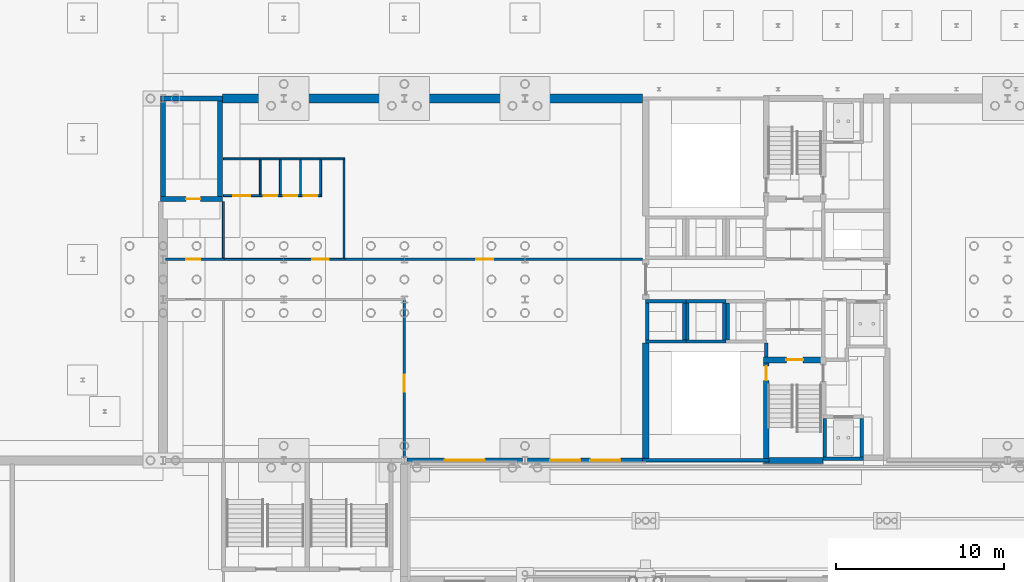
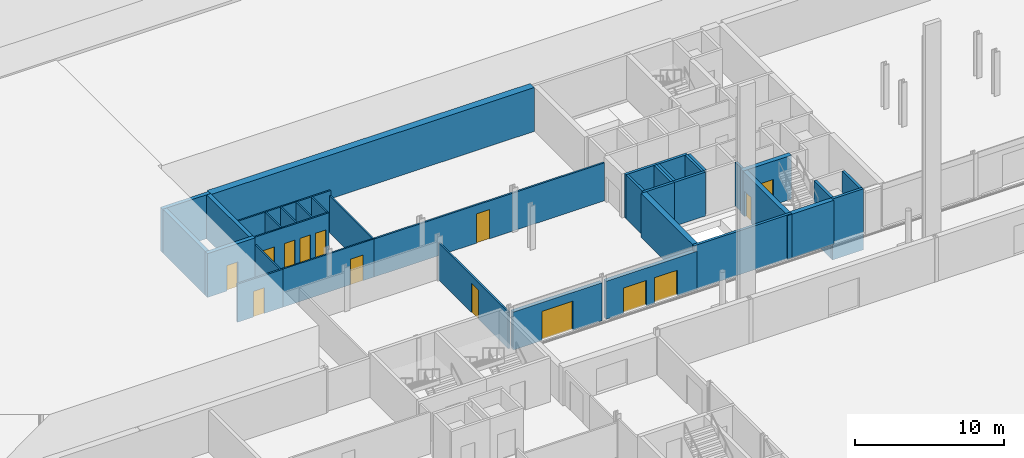
# One storey, part 88 of 148: 37 walls, 14 doors, 14 openings.
"""IFC4 building model written with IfcOpenShell, lengths in metres."""

from ifc_helpers import new_model, si_unit, direction, frame, frame_2d, origin, place, context, subcontext, project, spatial, rectangle, extrude, material, layer, layer_set, type_object, element, fill, save


model = new_model("IFC4")

# Units and contexts
model_context = context("Model", 3, precision=1e-05, world=origin(), true_north=direction((0.0, 1.0)))
body_context = subcontext(model_context, "Body", "Model", "MODEL_VIEW")
ifc_project = project(units=[si_unit("LENGTHUNIT", "METRE"), si_unit("AREAUNIT", "SQUARE_METRE"), si_unit("VOLUMEUNIT", "CUBIC_METRE"), si_unit("PLANEANGLEUNIT", "RADIAN"), si_unit("MASSUNIT", "GRAM", prefix="KILO")], contexts=[model_context])

# Site, building, storey
site_placement = place(None, origin())
site = spatial("IfcSite", under=ifc_project, at=site_placement, CompositionType="ELEMENT")
building_placement = place(site_placement, origin())
building = spatial("IfcBuilding", under=site, at=building_placement, Name="Kupolbacken Congress Centre", CompositionType="ELEMENT")
storey_placement = place(building_placement, origin())
storey = spatial("IfcBuildingStorey", under=building, at=storey_placement, Name="L00", CompositionType="ELEMENT", Elevation=0.0)

# Wall, opening, door
ifc_material_1 = material(Name="Limestone", Category="masonry")
ifc_layer_1 = layer(ifc_material_1, 0.06005859375)
ifc_material_2 = material(Name="Air cavity", Category="air")
ifc_layer_2 = layer(ifc_material_2, 0.0400390625, ventilated=True)
ifc_material_3 = material(Name="Mineral wool", Category="insulation")
ifc_layer_3 = layer(ifc_material_3, 0.14990234375)
ifc_material_4 = material(Name="Steel studs", Category="metal")
ifc_layer_4 = layer(ifc_material_4, 0.050048828125)
ifc_layer_set_1 = layer_set([ifc_layer_1, ifc_layer_2, ifc_layer_3, ifc_layer_4], Name="Limestone / Mineral wool / Steel studs")
wall_type_1 = type_object("IfcWallType", Name="EW01 external cavity wall 300", PredefinedType="SOLIDWALL", material=ifc_layer_set_1)
wall_1_placement = place(storey_placement, frame((79.353515625, 122.39990234375, 0.0), z_axis=(0.0, 0.0, 1.0), x_axis=(1.0, 0.0, 0.0)))
wall_1 = element("IfcWall", 1, at=wall_1_placement, inside=storey, type_object=wall_type_1, Name="E/T/S/L00/000", PredefinedType="SOLIDWALL", context=body_context, shape_type="SweptSolid", body=[
    extrude(rectangle(XDim=6.89306640625, YDim=0.300048828125, at=frame_2d((3.446533203125, 0.0))), origin(), (0.0, 0.0, 1.0), 3.1201171875),
])
opening_1_placement = place(wall_1_placement, frame((2.24658203125, 0.0, 0.0)))
opening_1 = element("IfcOpeningElement", 2, at=opening_1_placement, cuts=wall_1, Name="Opening D18", PredefinedType="OPENING", context=body_context, shape_type="SweptSolid", body=[
    extrude(rectangle(XDim=2.39990234375, YDim=2.39990234375, at=frame_2d((1.199951171875, 1.199951171875))), frame((0.0, 0.159912109375, 0.0), z_axis=(0.0, -1.0, 0.0), x_axis=(1.0, 0.0, 0.0)), (0.0, 0.0, 1.0), 0.320068359375),
])
ifc_material_5 = material(Name="Timber door leaf", Category="wood")
door_type_1 = type_object("IfcDoorType", Name="D18 door 2400x2400", OperationType="DOUBLE_DOOR_SINGLE_SWING", PredefinedType="DOOR", material=ifc_material_5)
door_1_placement = place(opening_1_placement, frame((2.39990234375, 0.0, 0.0), z_axis=(0.0, 0.0, 1.0), x_axis=(-1.0, 0.0, 0.0)))
door_1 = element("IfcDoor", 3, at=door_1_placement, inside=storey, type_object=door_type_1, Name="E/T/S/L00/000/DTSE", OperationType="DOUBLE_DOOR_SINGLE_SWING", OverallHeight=2.39990234375, OverallWidth=2.39990234375, PredefinedType="DOOR", context=body_context, shape_type="SweptSolid", body=[
    extrude(rectangle(XDim=2.39990234375, YDim=2.39990234375, at=frame_2d((1.199951171875, 1.199951171875))), frame((0.0, 0.02490234375, 0.0), z_axis=(0.0, -1.0, 0.0), x_axis=(1.0, 0.0, 0.0)), (0.0, 0.0, 1.0), 0.050048828125),
])
fill(opening_1, door_1)

# Wall, openings, doors
wall_2_placement = place(storey_placement, frame((86.553466796875, 122.39990234375, 0.0), z_axis=(0.0, 0.0, 1.0), x_axis=(1.0, 0.0, 0.0)))
wall_2 = element("IfcWall", 4, at=wall_2_placement, inside=storey, type_object=wall_type_1, Name="E/T/S/L00/001", PredefinedType="SOLIDWALL", context=body_context, shape_type="SweptSolid", body=[
    extrude(rectangle(XDim=7.046630859375, YDim=0.300048828125, at=frame_2d((3.5234375, 0.0))), origin(), (0.0, 0.0, 1.0), 3.1201171875),
])
opening_2_placement = place(wall_2_placement, frame((3.74658203125, 0.0, 0.0)))
opening_2 = element("IfcOpeningElement", 5, at=opening_2_placement, cuts=wall_2, Name="Opening D44", PredefinedType="OPENING", context=body_context, shape_type="SweptSolid", body=[
    extrude(rectangle(XDim=1.800048828125, YDim=2.10009765625, at=frame_2d((0.89990234375, 1.050048828125))), frame((0.0, 0.159912109375, 0.0), z_axis=(0.0, -1.0, 0.0), x_axis=(1.0, 0.0, 0.0)), (0.0, 0.0, 1.0), 0.320068359375),
])
opening_3_placement = place(wall_2_placement, frame((1.346435546875, 0.0, 0.0)))
opening_3 = element("IfcOpeningElement", 6, at=opening_3_placement, cuts=wall_2, Name="Opening D44", PredefinedType="OPENING", context=body_context, shape_type="SweptSolid", body=[
    extrude(rectangle(XDim=1.800048828125, YDim=2.10009765625, at=frame_2d((0.89990234375, 1.050048828125))), frame((0.0, 0.159912109375, 0.0), z_axis=(0.0, -1.0, 0.0), x_axis=(1.0, 0.0, 0.0)), (0.0, 0.0, 1.0), 0.320068359375),
])
ifc_material_6 = material(Name="Steel fire door leaf", Category="steel")
door_type_2 = type_object("IfcDoorType", Name="D44 stair door 1800x2100", OperationType="DOUBLE_DOOR_SINGLE_SWING", PredefinedType="DOOR", material=ifc_material_6)
door_2_placement = place(opening_2_placement, frame((1.800048828125, 0.0, 0.0), z_axis=(0.0, 0.0, 1.0), x_axis=(-1.0, 0.0, 0.0)))
door_2 = element("IfcDoor", 7, at=door_2_placement, inside=storey, type_object=door_type_2, Name="E/T/S/L00/001/DXTS1", OperationType="DOUBLE_DOOR_SINGLE_SWING", OverallHeight=2.10009765625, OverallWidth=1.800048828125, PredefinedType="DOOR", context=body_context, shape_type="SweptSolid", body=[
    extrude(rectangle(XDim=1.800048828125, YDim=2.10009765625, at=frame_2d((0.89990234375, 1.050048828125))), frame((0.0, 0.02490234375, 0.0), z_axis=(0.0, -1.0, 0.0), x_axis=(1.0, 0.0, 0.0)), (0.0, 0.0, 1.0), 0.050048828125),
])
fill(opening_2, door_2)
door_3_placement = place(opening_3_placement, frame((1.800048828125, 0.0, 0.0), z_axis=(0.0, 0.0, 1.0), x_axis=(-1.0, 0.0, 0.0)))
door_3 = element("IfcDoor", 8, at=door_3_placement, inside=storey, type_object=door_type_2, Name="E/T/S/L00/001/DXTS2", OperationType="DOUBLE_DOOR_SINGLE_SWING", OverallHeight=2.10009765625, OverallWidth=1.800048828125, PredefinedType="DOOR", context=body_context, shape_type="SweptSolid", body=[
    extrude(rectangle(XDim=1.800048828125, YDim=2.10009765625, at=frame_2d((0.89990234375, 1.050048828125))), frame((0.0, 0.02490234375, 0.0), z_axis=(0.0, -1.0, 0.0), x_axis=(1.0, 0.0, 0.0)), (0.0, 0.0, 1.0), 0.050048828125),
])
fill(opening_3, door_3)

# Wall, opening, door
ifc_material_7 = material(Name="Gypsum board", Category="drywall")
ifc_layer_5 = layer(ifc_material_7, 0.114990234375)
ifc_layer_set_2 = layer_set([ifc_layer_5], Name="Gypsum board")
wall_type_2 = type_object("IfcWallType", Name="P04 partition 115", PredefinedType="PARTITIONING", material=ifc_layer_set_2)
wall_3_placement = place(storey_placement, frame((68.342529296875, 134.39990234375, 0.0), z_axis=(0.0, 0.0, 1.0), x_axis=(1.0, 0.0, 0.0)))
wall_3 = element("IfcWall", 9, at=wall_3_placement, inside=storey, type_object=wall_type_2, Name="T/wall/L00/x/13440/6840", PredefinedType="PARTITIONING", context=body_context, shape_type="SweptSolid", body=[
    extrude(rectangle(XDim=7.31494140625, YDim=0.114990234375, at=frame_2d((3.657470703125, 0.0))), origin(), (0.0, 0.0, 1.0), 3.1201171875),
])
opening_4_placement = place(wall_3_placement, frame((5.357421875, 0.0, 0.0)))
opening_4 = element("IfcOpeningElement", 10, at=opening_4_placement, cuts=wall_3, Name="Opening D39", PredefinedType="OPENING", context=body_context, shape_type="SweptSolid", body=[
    extrude(rectangle(XDim=1.0, YDim=2.10009765625, at=frame_2d((0.5, 1.050048828125))), frame((0.0, 0.0673828125, 0.0), z_axis=(0.0, -1.0, 0.0), x_axis=(1.0, 0.0, 0.0)), (0.0, 0.0, 1.0), 0.135009765625),
])
ifc_material_8 = material(Name="Timber door leaf", Category="wood")
door_type_3 = type_object("IfcDoorType", Name="D39 door 1000x2100", OperationType="SINGLE_SWING_LEFT", PredefinedType="DOOR", material=ifc_material_8)
door_4_placement = place(opening_4_placement, frame((1.0, 0.0, 0.0), z_axis=(0.0, 0.0, 1.0), x_axis=(-1.0, 0.0, 0.0)))
door_4 = element("IfcDoor", 11, at=door_4_placement, inside=storey, type_object=door_type_3, Name="T/wall/L00/x/13440/6840/D-WS-DE", OperationType="SINGLE_SWING_RIGHT", OverallHeight=2.10009765625, OverallWidth=1.0, PredefinedType="DOOR", context=body_context, shape_type="SweptSolid", body=[
    extrude(rectangle(XDim=1.0, YDim=2.10009765625, at=frame_2d((0.5, 1.050048828125))), frame((0.0, 0.02490234375, 0.0), z_axis=(0.0, -1.0, 0.0), x_axis=(1.0, 0.0, 0.0)), (0.0, 0.0, 1.0), 0.050048828125),
])
fill(opening_4, door_4)

# Wall, openings, doors
wall_4_placement = place(storey_placement, frame((68.39990234375, 138.199951171875, 0.0), z_axis=(0.0, 0.0, 1.0), x_axis=(1.0, 0.0, 0.0)))
wall_4 = element("IfcWall", 12, at=wall_4_placement, inside=storey, type_object=wall_type_2, Name="T/wall/L00/x/13820/6840", PredefinedType="PARTITIONING", context=body_context, shape_type="SweptSolid", body=[
    extrude(rectangle(XDim=5.857666015625, YDim=0.114990234375, at=frame_2d((2.9287109375, 0.0))), origin(), (0.0, 0.0, 1.0), 3.419921875),
])
opening_5_placement = place(wall_4_placement, frame((0.60009765625, 0.0, 0.0)))
opening_5 = element("IfcOpeningElement", 13, at=opening_5_placement, cuts=wall_4, Name="Opening D39", PredefinedType="OPENING", context=body_context, shape_type="SweptSolid", body=[
    extrude(rectangle(XDim=1.0, YDim=2.10009765625, at=frame_2d((0.5, 1.050048828125))), frame((0.0, 0.0673828125, 0.0), z_axis=(0.0, -1.0, 0.0), x_axis=(1.0, 0.0, 0.0)), (0.0, 0.0, 1.0), 0.135009765625),
])
opening_6_placement = place(wall_4_placement, frame((2.39990234375, 0.0, 0.0)))
opening_6 = element("IfcOpeningElement", 14, at=opening_6_placement, cuts=wall_4, Name="Opening D2", PredefinedType="OPENING", context=body_context, shape_type="SweptSolid", body=[
    extrude(rectangle(XDim=0.800048828125, YDim=2.10009765625, at=frame_2d((0.39990234375, 1.050048828125))), frame((0.0, 0.0673828125, 0.0), z_axis=(0.0, -1.0, 0.0), x_axis=(1.0, 0.0, 0.0)), (0.0, 0.0, 1.0), 0.135009765625),
])
opening_7_placement = place(wall_4_placement, frame((3.60009765625, 0.0, 0.0)))
opening_7 = element("IfcOpeningElement", 15, at=opening_7_placement, cuts=wall_4, Name="Opening D2", PredefinedType="OPENING", context=body_context, shape_type="SweptSolid", body=[
    extrude(rectangle(XDim=0.800048828125, YDim=2.10009765625, at=frame_2d((0.39990234375, 1.050048828125))), frame((0.0, 0.0673828125, 0.0), z_axis=(0.0, -1.0, 0.0), x_axis=(1.0, 0.0, 0.0)), (0.0, 0.0, 1.0), 0.135009765625),
])
opening_8_placement = place(wall_4_placement, frame((4.800048828125, 0.0, 0.0)))
opening_8 = element("IfcOpeningElement", 16, at=opening_8_placement, cuts=wall_4, Name="Opening D2", PredefinedType="OPENING", context=body_context, shape_type="SweptSolid", body=[
    extrude(rectangle(XDim=0.800048828125, YDim=2.10009765625, at=frame_2d((0.39990234375, 1.050048828125))), frame((0.0, 0.0673828125, 0.0), z_axis=(0.0, -1.0, 0.0), x_axis=(1.0, 0.0, 0.0)), (0.0, 0.0, 1.0), 0.135009765625),
])
ifc_material_9 = material(Name="Timber door leaf", Category="wood")
door_type_4 = type_object("IfcDoorType", Name="D2 door 800x2100", OperationType="SINGLE_SWING_LEFT", PredefinedType="DOOR", material=ifc_material_9)
door_5_placement = place(opening_6_placement, origin())
door_5 = element("IfcDoor", 17, at=door_5_placement, inside=storey, type_object=door_type_4, Name="T/wall/L00/x/13820/6840/D-WS-DC1", OperationType="SINGLE_SWING_LEFT", OverallHeight=2.10009765625, OverallWidth=0.800048828125, PredefinedType="DOOR", context=body_context, shape_type="SweptSolid", body=[
    extrude(rectangle(XDim=0.800048828125, YDim=2.10009765625, at=frame_2d((0.39990234375, 1.050048828125))), frame((0.0, 0.02490234375, 0.0), z_axis=(0.0, -1.0, 0.0), x_axis=(1.0, 0.0, 0.0)), (0.0, 0.0, 1.0), 0.050048828125),
])
fill(opening_6, door_5)
door_6_placement = place(opening_7_placement, origin())
door_6 = element("IfcDoor", 18, at=door_6_placement, inside=storey, type_object=door_type_4, Name="T/wall/L00/x/13820/6840/D-WS-DC2", OperationType="SINGLE_SWING_LEFT", OverallHeight=2.10009765625, OverallWidth=0.800048828125, PredefinedType="DOOR", context=body_context, shape_type="SweptSolid", body=[
    extrude(rectangle(XDim=0.800048828125, YDim=2.10009765625, at=frame_2d((0.39990234375, 1.050048828125))), frame((0.0, 0.02490234375, 0.0), z_axis=(0.0, -1.0, 0.0), x_axis=(1.0, 0.0, 0.0)), (0.0, 0.0, 1.0), 0.050048828125),
])
fill(opening_7, door_6)
door_7_placement = place(opening_8_placement, origin())
door_7 = element("IfcDoor", 19, at=door_7_placement, inside=storey, type_object=door_type_4, Name="T/wall/L00/x/13820/6840/D-WS-DC3", OperationType="SINGLE_SWING_RIGHT", OverallHeight=2.10009765625, OverallWidth=0.800048828125, PredefinedType="DOOR", context=body_context, shape_type="SweptSolid", body=[
    extrude(rectangle(XDim=0.800048828125, YDim=2.10009765625, at=frame_2d((0.39990234375, 1.050048828125))), frame((0.0, 0.02490234375, 0.0), z_axis=(0.0, -1.0, 0.0), x_axis=(1.0, 0.0, 0.0)), (0.0, 0.0, 1.0), 0.050048828125),
])
fill(opening_8, door_7)
door_8_placement = place(opening_5_placement, origin())
door_8 = element("IfcDoor", 20, at=door_8_placement, inside=storey, type_object=door_type_3, Name="T/wall/L00/x/13820/6840/D-WS-DA", OperationType="SINGLE_SWING_LEFT", OverallHeight=2.10009765625, OverallWidth=1.0, PredefinedType="DOOR", context=body_context, shape_type="SweptSolid", body=[
    extrude(rectangle(XDim=1.0, YDim=2.10009765625, at=frame_2d((0.5, 1.050048828125))), frame((0.0, 0.02490234375, 0.0), z_axis=(0.0, -1.0, 0.0), x_axis=(1.0, 0.0, 0.0)), (0.0, 0.0, 1.0), 0.050048828125),
])
fill(opening_5, door_8)

# Walls
wall_5_placement = place(storey_placement, frame((68.39990234375, 140.39990234375, 0.0), z_axis=(0.0, 0.0, 1.0), x_axis=(1.0, 0.0, 0.0)))
element("IfcWall", 21, at=wall_5_placement, inside=storey, type_object=wall_type_2, Name="T/wall/L00/x/14040/6840", PredefinedType="PARTITIONING", context=body_context, shape_type="SweptSolid", body=[
    extrude(rectangle(XDim=7.257568359375, YDim=0.114990234375, at=frame_2d((3.62890625, 0.0))), origin(), (0.0, 0.0, 1.0), 3.419921875),
])
wall_6_placement = place(storey_placement, frame((68.39990234375, 134.467529296875, 0.0), z_axis=(0.0, 0.0, 1.0), x_axis=(0.0, 1.0, 0.0)))
element("IfcWall", 22, at=wall_6_placement, inside=storey, type_object=wall_type_2, Name="T/wall/L00/y/6840/13440", PredefinedType="PARTITIONING", context=body_context, shape_type="SweptSolid", body=[
    extrude(rectangle(XDim=3.382568359375, YDim=0.114990234375, at=frame_2d((1.69140625, 0.0))), origin(), (0.0, 0.0, 1.0), 3.02001953125),
])
for number, where, z_axis, x_axis, name in (
    (23, (70.60009765625, 138.257568359375, 0.0), (0.0, 0.0, 1.0), (0.0, 1.0, 0.0), "T/wall/L00/y/7060/13820"),
    (24, (71.800048828125, 138.257568359375, 0.0), (0.0, 0.0, 1.0), (0.0, 1.0, 0.0), "T/wall/L00/y/7180/13820"),
    (25, (73.0, 138.257568359375, 0.0), (0.0, 0.0, 1.0), (0.0, 1.0, 0.0), "T/wall/L00/y/7300/13820"),
    (26, (74.199951171875, 138.257568359375, 0.0), (0.0, 0.0, 1.0), (0.0, 1.0, 0.0), "T/wall/L00/y/7420/13820"),
):
    element("IfcWall", number, at=place(storey_placement, frame(where, z_axis=z_axis, x_axis=x_axis)), inside=storey, type_object=wall_type_2, Name=name, PredefinedType="PARTITIONING", context=body_context, shape_type="SweptSolid", body=[
        extrude(rectangle(XDim=2.0849609375, YDim=0.114990234375, at=frame_2d((1.04248046875, 0.0))), origin(), (0.0, 0.0, 1.0), 3.419921875),
    ])
wall_7_placement = place(storey_placement, frame((75.60009765625, 134.467529296875, 0.0), z_axis=(0.0, 0.0, 1.0), x_axis=(0.0, 1.0, 0.0)))
element("IfcWall", 27, at=wall_7_placement, inside=storey, type_object=wall_type_2, Name="T/wall/L00/y/7560/13440", PredefinedType="PARTITIONING", context=body_context, shape_type="SweptSolid", body=[
    extrude(rectangle(XDim=5.875, YDim=0.114990234375, at=frame_2d((2.9375, 0.0))), origin(), (0.0, 0.0, 1.0), 3.02001953125),
])

# Wall, opening, door
ifc_material_10 = material(Name="Gypsum board", Category="drywall")
ifc_layer_6 = layer(ifc_material_10, 0.135009765625)
ifc_layer_set_3 = layer_set([ifc_layer_6], Name="Gypsum board")
wall_type_3 = type_object("IfcWallType", Name="P06 compartment wall 135", PredefinedType="PARTITIONING", material=ifc_layer_set_3)
wall_8_placement = place(storey_placement, frame((64.949951171875, 134.39990234375, 0.0), z_axis=(0.0, 0.0, 1.0), x_axis=(1.0, 0.0, 0.0)))
wall_8 = element("IfcWall", 28, at=wall_8_placement, inside=storey, type_object=wall_type_3, Name="T/wall/L00/x/13440/6480", PredefinedType="PARTITIONING", context=body_context, shape_type="SweptSolid", body=[
    extrude(rectangle(XDim=3.507568359375, YDim=0.135009765625, at=frame_2d((1.75390625, 0.0))), origin(), (0.0, 0.0, 1.0), 3.1201171875),
])
opening_9_placement = place(wall_8_placement, frame((1.22509765625, 0.0, 0.0)))
opening_9 = element("IfcOpeningElement", 29, at=opening_9_placement, cuts=wall_8, Name="Opening D3", PredefinedType="OPENING", context=body_context, shape_type="SweptSolid", body=[
    extrude(rectangle(XDim=0.85009765625, YDim=2.10009765625, at=frame_2d((0.425048828125, 1.050048828125))), frame((0.0, 0.077392578125, 0.0), z_axis=(0.0, -1.0, 0.0), x_axis=(1.0, 0.0, 0.0)), (0.0, 0.0, 1.0), 0.155029296875),
])
ifc_material_11 = material(Name="Steel fire door leaf", Category="steel")
door_type_5 = type_object("IfcDoorType", Name="D3 fire door 850x2100", OperationType="SINGLE_SWING_LEFT", PredefinedType="DOOR", material=ifc_material_11)
door_9_placement = place(opening_9_placement, origin())
door_9 = element("IfcDoor", 30, at=door_9_placement, inside=storey, type_object=door_type_5, Name="T/wall/L00/x/13440/6480/D-ST2-D", OperationType="SINGLE_SWING_RIGHT", OverallHeight=2.10009765625, OverallWidth=0.85009765625, PredefinedType="DOOR", context=body_context, shape_type="SweptSolid", body=[
    extrude(rectangle(XDim=0.85009765625, YDim=2.10009765625, at=frame_2d((0.425048828125, 1.050048828125))), frame((0.0, 0.02490234375, 0.0), z_axis=(0.0, -1.0, 0.0), x_axis=(1.0, 0.0, 0.0)), (0.0, 0.0, 1.0), 0.050048828125),
])
fill(opening_9, door_9)

wall_9_placement = place(storey_placement, frame((75.54248046875, 134.39990234375, 0.0), z_axis=(0.0, 0.0, 1.0), x_axis=(1.0, 0.0, 0.0)))
wall_9 = element("IfcWall", 31, at=wall_9_placement, inside=storey, type_object=wall_type_3, Name="T/wall/L00/x/13440/7560", PredefinedType="PARTITIONING", context=body_context, shape_type="SweptSolid", body=[
    extrude(rectangle(XDim=17.857421875, YDim=0.135009765625, at=frame_2d((8.9287109375, 0.0))), origin(), (0.0, 0.0, 1.0), 3.1201171875),
])
opening_10_placement = place(wall_9_placement, frame((7.95751953125, 0.0, 0.0)))
opening_10 = element("IfcOpeningElement", 32, at=opening_10_placement, cuts=wall_9, Name="Opening D8", PredefinedType="OPENING", context=body_context, shape_type="SweptSolid", body=[
    extrude(rectangle(XDim=1.0, YDim=2.39990234375, at=frame_2d((0.5, 1.199951171875))), frame((0.0, 0.077392578125, 0.0), z_axis=(0.0, -1.0, 0.0), x_axis=(1.0, 0.0, 0.0)), (0.0, 0.0, 1.0), 0.155029296875),
])
ifc_material_12 = material(Name="Steel fire door leaf", Category="steel")
door_type_6 = type_object("IfcDoorType", Name="D8 fire door 1000x2400", OperationType="SINGLE_SWING_LEFT", PredefinedType="DOOR", material=ifc_material_12)
door_10_placement = place(opening_10_placement, origin())
door_10 = element("IfcDoor", 33, at=door_10_placement, inside=storey, type_object=door_type_6, Name="T/wall/L00/x/13440/7560/D-LAU-D", OperationType="SINGLE_SWING_RIGHT", OverallHeight=2.39990234375, OverallWidth=1.0, PredefinedType="DOOR", context=body_context, shape_type="SweptSolid", body=[
    extrude(rectangle(XDim=1.0, YDim=2.39990234375, at=frame_2d((0.5, 1.199951171875))), frame((0.0, 0.02490234375, 0.0), z_axis=(0.0, -1.0, 0.0), x_axis=(1.0, 0.0, 0.0)), (0.0, 0.0, 1.0), 0.050048828125),
])
fill(opening_10, door_10)

wall_10_placement = place(storey_placement, frame((79.199951171875, 122.550048828125, 0.0), z_axis=(0.0, 0.0, 1.0), x_axis=(0.0, 1.0, 0.0)))
wall_10 = element("IfcWall", 34, at=wall_10_placement, inside=storey, type_object=wall_type_3, Name="T/wall/L00/y/7920/12240", PredefinedType="PARTITIONING", context=body_context, shape_type="SweptSolid", body=[
    extrude(rectangle(XDim=9.382568359375, YDim=0.135009765625, at=frame_2d((4.69140625, 0.0))), origin(), (0.0, 0.0, 1.0), 3.02001953125),
])
opening_11_placement = place(wall_10_placement, frame((3.949951171875, 0.0, 0.0)))
opening_11 = element("IfcOpeningElement", 35, at=opening_11_placement, cuts=wall_10, Name="Opening D8", PredefinedType="OPENING", context=body_context, shape_type="SweptSolid", body=[
    extrude(rectangle(XDim=1.0, YDim=2.39990234375, at=frame_2d((0.5, 1.199951171875))), frame((0.0, 0.077392578125, 0.0), z_axis=(0.0, -1.0, 0.0), x_axis=(1.0, 0.0, 0.0)), (0.0, 0.0, 1.0), 0.155029296875),
])
door_11_placement = place(opening_11_placement, origin())
door_11 = element("IfcDoor", 36, at=door_11_placement, inside=storey, type_object=door_type_6, Name="T/wall/L00/y/7920/12240/D-LSO-D", OperationType="SINGLE_SWING_LEFT", OverallHeight=2.39990234375, OverallWidth=1.0, PredefinedType="DOOR", context=body_context, shape_type="SweptSolid", body=[
    extrude(rectangle(XDim=1.0, YDim=2.39990234375, at=frame_2d((0.5, 1.199951171875))), frame((0.0, 0.02490234375, 0.0), z_axis=(0.0, -1.0, 0.0), x_axis=(1.0, 0.0, 0.0)), (0.0, 0.0, 1.0), 0.050048828125),
])
fill(opening_11, door_11)

# Walls
ifc_material_13 = material(Name="Concrete C30/37", Category="concrete")
ifc_layer_7 = layer(ifc_material_13, 0.550048828125)
ifc_layer_set_4 = layer_set([ifc_layer_7], Name="Concrete C30/37")
wall_type_4 = type_object("IfcWallType", Name="RW3 retaining wall 550", PredefinedType="SOLIDWALL", material=ifc_layer_set_4)
wall_11_placement = place(storey_placement, frame((68.35009765625, 144.0, 0.0), z_axis=(0.0, 0.0, 1.0), x_axis=(1.0, 0.0, 0.0)))
element("IfcWall", 37, at=wall_11_placement, inside=storey, type_object=wall_type_4, Name="Retaining wall BF09 L00", PredefinedType="SOLIDWALL", context=body_context, shape_type="SweptSolid", body=[
    extrude(rectangle(XDim=25.0498046875, YDim=0.550048828125, at=frame_2d((12.52490234375, 0.0))), origin(), (0.0, 0.0, 1.0), 3.60009765625),
])
ifc_material_14 = material(Name="Concrete C40/50", Category="concrete")
ifc_layer_8 = layer(ifc_material_14, 0.199951171875)
ifc_layer_set_5 = layer_set([ifc_layer_8], Name="Concrete C40/50")
wall_type_5 = type_object("IfcWallType", Name="WC1 RC shaft wall 200", PredefinedType="SHEAR", material=ifc_layer_set_5)
wall_12_placement = place(storey_placement, frame((93.39990234375, 122.39990234375, 0.0), z_axis=(0.0, 0.0, 1.0), x_axis=(1.0, 0.0, 0.0)))
element("IfcWall", 38, at=wall_12_placement, inside=storey, type_object=wall_type_5, Name="Shaft wall L00-078", PredefinedType="SHEAR", context=body_context, shape_type="SweptSolid", body=[
    extrude(rectangle(XDim=7.5751953125, YDim=0.199951171875, at=frame_2d((3.78759765625, 0.0))), origin(), (0.0, 0.0, 1.0), 3.60009765625),
])
wall_13_placement = place(storey_placement, frame((100.800048828125, 128.574951171875, 0.0), z_axis=(0.0, 0.0, 1.0), x_axis=(0.0, 1.0, 0.0)))
element("IfcWall", 39, at=wall_13_placement, inside=storey, type_object=wall_type_5, Name="Shaft wall L00-091", PredefinedType="SHEAR", context=body_context, shape_type="SweptSolid", body=[
    extrude(rectangle(XDim=0.824951171875, YDim=0.199951171875, at=frame_2d((0.41259765625, 0.0))), origin(), (0.0, 0.0, 1.0), 3.60009765625),
])
for number, where, z_axis, x_axis, name in (
    (40, (93.60009765625, 129.5, 0.0), (0.0, 0.0, 1.0), (1.0, 0.0, 0.0), "Shaft wall LP9"),
    (41, (93.60009765625, 131.89990234375, 0.0), (0.0, 0.0, 1.0), (1.0, 0.0, 0.0), "Shaft wall LP9"),
):
    element("IfcWall", number, at=place(storey_placement, frame(where, z_axis=z_axis, x_axis=x_axis)), inside=storey, type_object=wall_type_5, Name=name, PredefinedType="SHEAR", context=body_context, shape_type="SweptSolid", body=[
        extrude(rectangle(XDim=2.39990234375, YDim=0.199951171875, at=frame_2d((1.199951171875, 0.0))), origin(), (0.0, 0.0, 1.0), 3.60009765625),
    ])
for number, where, z_axis, x_axis, name in (
    (42, (93.699951171875, 129.60009765625, 0.0), (0.0, 0.0, 1.0), (0.0, 1.0, 0.0), "Shaft wall LP9"),
    (43, (95.89990234375, 129.60009765625, 0.0), (0.0, 0.0, 1.0), (0.0, 1.0, 0.0), "Shaft wall LP9"),
):
    element("IfcWall", number, at=place(storey_placement, frame(where, z_axis=z_axis, x_axis=x_axis)), inside=storey, type_object=wall_type_5, Name=name, PredefinedType="SHEAR", context=body_context, shape_type="SweptSolid", body=[
        extrude(rectangle(XDim=2.199951171875, YDim=0.199951171875, at=frame_2d((1.10009765625, 0.0))), origin(), (0.0, 0.0, 1.0), 3.60009765625),
    ])
for number, where, z_axis, x_axis, name in (
    (44, (96.0, 129.5, 0.0), (0.0, 0.0, 1.0), (1.0, 0.0, 0.0), "Shaft wall LP10"),
    (45, (96.0, 131.89990234375, 0.0), (0.0, 0.0, 1.0), (1.0, 0.0, 0.0), "Shaft wall LP10"),
):
    element("IfcWall", number, at=place(storey_placement, frame(where, z_axis=z_axis, x_axis=x_axis)), inside=storey, type_object=wall_type_5, Name=name, PredefinedType="SHEAR", context=body_context, shape_type="SweptSolid", body=[
        extrude(rectangle(XDim=2.39990234375, YDim=0.199951171875, at=frame_2d((1.199951171875, 0.0))), origin(), (0.0, 0.0, 1.0), 3.60009765625),
    ])
for number, where, z_axis, x_axis, name in (
    (46, (96.10009765625, 129.60009765625, 0.0), (0.0, 0.0, 1.0), (0.0, 1.0, 0.0), "Shaft wall LP10"),
    (47, (98.300048828125, 129.60009765625, 0.0), (0.0, 0.0, 1.0), (0.0, 1.0, 0.0), "Shaft wall LP10"),
    (48, (98.5, 129.60009765625, 0.0), (0.0, 0.0, 1.0), (0.0, 1.0, 0.0), "Shaft wall LP11"),
):
    element("IfcWall", number, at=place(storey_placement, frame(where, z_axis=z_axis, x_axis=x_axis)), inside=storey, type_object=wall_type_5, Name=name, PredefinedType="SHEAR", context=body_context, shape_type="SweptSolid", body=[
        extrude(rectangle(XDim=2.199951171875, YDim=0.199951171875, at=frame_2d((1.10009765625, 0.0))), origin(), (0.0, 0.0, 1.0), 3.60009765625),
    ])
wall_14_placement = place(storey_placement, frame((104.199951171875, 122.5, -1.39990234375), z_axis=(0.0, 0.0, 1.0), x_axis=(1.0, 0.0, 0.0)))
element("IfcWall", 49, at=wall_14_placement, inside=storey, type_object=wall_type_5, Name="Shaft wall LF1", PredefinedType="SHEAR", context=body_context, shape_type="SweptSolid", body=[
    extrude(rectangle(XDim=2.400146484375, YDim=0.199951171875, at=frame_2d((1.2001953125, 0.0))), origin(), (0.0, 0.0, 1.0), 5.0),
])
for number, where, z_axis, x_axis, name in (
    (50, (104.300048828125, 122.60009765625, -1.39990234375), (0.0, 0.0, 1.0), (0.0, 1.0, 0.0), "Shaft wall LF1"),
    (51, (106.5, 122.60009765625, -1.39990234375), (0.0, 0.0, 1.0), (0.0, 1.0, 0.0), "Shaft wall LF1"),
):
    element("IfcWall", number, at=place(storey_placement, frame(where, z_axis=z_axis, x_axis=x_axis)), inside=storey, type_object=wall_type_5, Name=name, PredefinedType="SHEAR", context=body_context, shape_type="SweptSolid", body=[
        extrude(rectangle(XDim=2.2998046875, YDim=0.199951171875, at=frame_2d((1.14990234375, 0.0))), origin(), (0.0, 0.0, 1.0), 5.0),
    ])

# Wall, opening, door
ifc_material_15 = material(Name="Concrete C40/50", Category="concrete")
ifc_layer_9 = layer(ifc_material_15, 0.300048828125)
ifc_layer_set_6 = layer_set([ifc_layer_9], Name="Concrete C40/50")
wall_type_6 = type_object("IfcWallType", Name="WC3 RC core wall 300", PredefinedType="SHEAR", material=ifc_layer_set_6)
wall_15_placement = place(storey_placement, frame((64.64990234375, 138.0, 0.0), z_axis=(0.0, 0.0, 1.0), x_axis=(1.0, 0.0, 0.0)))
wall_15 = element("IfcWall", 52, at=wall_15_placement, inside=storey, type_object=wall_type_6, Name="Core wall L00-118", PredefinedType="SHEAR", context=body_context, shape_type="SweptSolid", body=[
    extrude(rectangle(XDim=3.7001953125, YDim=0.300048828125, at=frame_2d((1.85009765625, 0.0))), origin(), (0.0, 0.0, 1.0), 3.60009765625),
])
opening_12_placement = place(wall_15_placement, frame((1.52490234375, 0.0, 0.0)))
opening_12 = element("IfcOpeningElement", 53, at=opening_12_placement, cuts=wall_15, Name="Opening D3", PredefinedType="OPENING", context=body_context, shape_type="SweptSolid", body=[
    extrude(rectangle(XDim=0.85009765625, YDim=2.10009765625, at=frame_2d((0.425048828125, 1.050048828125))), frame((0.0, 0.159912109375, 0.0), z_axis=(0.0, -1.0, 0.0), x_axis=(1.0, 0.0, 0.0)), (0.0, 0.0, 1.0), 0.320068359375),
])
door_12_placement = place(opening_12_placement, frame((0.85009765625, 0.0, 0.0), z_axis=(0.0, 0.0, 1.0), x_axis=(-1.0, 0.0, 0.0)))
door_12 = element("IfcDoor", 54, at=door_12_placement, inside=storey, type_object=door_type_5, Name="S/core/L00/118/D-ST3-D", OperationType="SINGLE_SWING_LEFT", OverallHeight=2.10009765625, OverallWidth=0.85009765625, PredefinedType="DOOR", context=body_context, shape_type="SweptSolid", body=[
    extrude(rectangle(XDim=0.85009765625, YDim=2.10009765625, at=frame_2d((0.425048828125, 1.050048828125))), frame((0.0, 0.02490234375, 0.0), z_axis=(0.0, -1.0, 0.0), x_axis=(1.0, 0.0, 0.0)), (0.0, 0.0, 1.0), 0.050048828125),
])
fill(opening_12, door_12)

# Walls
for number, where, z_axis, x_axis, name in (
    (55, (68.199951171875, 137.85009765625, 0.0), (0.0, 0.0, 1.0), (0.0, 1.0, 0.0), "Core wall L00-119"),
    (56, (64.800048828125, 144.14990234375, 0.0), (0.0, 0.0, 1.0), (0.0, -1.0, 0.0), "Core wall L00-124"),
):
    element("IfcWall", number, at=place(storey_placement, frame(where, z_axis=z_axis, x_axis=x_axis)), inside=storey, type_object=wall_type_6, Name=name, PredefinedType="SHEAR", context=body_context, shape_type="SweptSolid", body=[
        extrude(rectangle(XDim=6.2998046875, YDim=0.300048828125, at=frame_2d((3.14990234375, 0.0))), origin(), (0.0, 0.0, 1.0), 3.60009765625),
    ])
wall_16_placement = place(storey_placement, frame((68.35009765625, 144.0, 0.0), z_axis=(0.0, 0.0, 1.0), x_axis=(-1.0, 0.0, 0.0)))
element("IfcWall", 57, at=wall_16_placement, inside=storey, type_object=wall_type_6, Name="Core wall L00-125", PredefinedType="SHEAR", context=body_context, shape_type="SweptSolid", body=[
    extrude(rectangle(XDim=3.7001953125, YDim=0.300048828125, at=frame_2d((1.85009765625, 0.0))), origin(), (0.0, 0.0, 1.0), 3.60009765625),
])
ifc_material_16 = material(Name="Concrete C40/50", Category="concrete")
ifc_layer_10 = layer(ifc_material_16, 0.35009765625)
ifc_layer_set_7 = layer_set([ifc_layer_10], Name="Concrete C40/50")
wall_type_7 = type_object("IfcWallType", Name="WC4 RC core wall 350", PredefinedType="SHEAR", material=ifc_layer_set_7)
wall_17_placement = place(storey_placement, frame((100.97509765625, 122.39990234375, 0.0), z_axis=(0.0, 0.0, 1.0), x_axis=(1.0, 0.0, 0.0)))
element("IfcWall", 58, at=wall_17_placement, inside=storey, type_object=wall_type_7, Name="Core wall L00-079", PredefinedType="SHEAR", context=body_context, shape_type="SweptSolid", body=[
    extrude(rectangle(XDim=3.224853515625, YDim=0.35009765625, at=frame_2d((1.6123046875, 0.0))), origin(), (0.0, 0.0, 1.0), 3.60009765625),
])

# Wall, opening, door
wall_18_placement = place(storey_placement, frame((100.800048828125, 128.574951171875, 0.0), z_axis=(0.0, 0.0, 1.0), x_axis=(0.0, -1.0, 0.0)))
wall_18 = element("IfcWall", 59, at=wall_18_placement, inside=storey, type_object=wall_type_7, Name="Core wall L00-090", PredefinedType="SHEAR", context=body_context, shape_type="SweptSolid", body=[
    extrude(rectangle(XDim=6.349853515625, YDim=0.35009765625, at=frame_2d((3.1748046875, 0.0))), origin(), (0.0, 0.0, 1.0), 3.60009765625),
])
opening_13_placement = place(wall_18_placement, frame((0.550048828125, 0.0, 0.0)))
opening_13 = element("IfcOpeningElement", 60, at=opening_13_placement, cuts=wall_18, Name="Opening D3", PredefinedType="OPENING", context=body_context, shape_type="SweptSolid", body=[
    extrude(rectangle(XDim=0.85009765625, YDim=2.10009765625, at=frame_2d((0.425048828125, 1.050048828125))), frame((0.0, 0.18505859375, 0.0), z_axis=(0.0, -1.0, 0.0), x_axis=(1.0, 0.0, 0.0)), (0.0, 0.0, 1.0), 0.3701171875),
])
door_13_placement = place(opening_13_placement, origin())
door_13 = element("IfcDoor", 61, at=door_13_placement, inside=storey, type_object=door_type_5, Name="S/core/L00/090/D-TR1-A", OperationType="SINGLE_SWING_RIGHT", OverallHeight=2.10009765625, OverallWidth=0.85009765625, PredefinedType="DOOR", context=body_context, shape_type="SweptSolid", body=[
    extrude(rectangle(XDim=0.85009765625, YDim=2.10009765625, at=frame_2d((0.425048828125, 1.050048828125))), frame((0.0, 0.02490234375, 0.0), z_axis=(0.0, -1.0, 0.0), x_axis=(1.0, 0.0, 0.0)), (0.0, 0.0, 1.0), 0.050048828125),
])
fill(opening_13, door_13)

wall_19_placement = place(storey_placement, frame((104.375, 128.39990234375, 0.0), z_axis=(0.0, 0.0, 1.0), x_axis=(-1.0, 0.0, 0.0)))
wall_19 = element("IfcWall", 62, at=wall_19_placement, inside=storey, type_object=wall_type_7, Name="Core wall L00-092", PredefinedType="SHEAR", context=body_context, shape_type="SweptSolid", body=[
    extrude(rectangle(XDim=3.75, YDim=0.35009765625, at=frame_2d((1.875, 0.0))), origin(), (0.0, 0.0, 1.0), 3.60009765625),
])
opening_14_placement = place(wall_19_placement, frame((1.375, 0.0, 0.0)))
opening_14 = element("IfcOpeningElement", 63, at=opening_14_placement, cuts=wall_19, Name="Opening D5", PredefinedType="OPENING", context=body_context, shape_type="SweptSolid", body=[
    extrude(rectangle(XDim=1.0, YDim=2.10009765625, at=frame_2d((0.5, 1.050048828125))), frame((0.0, 0.18505859375, 0.0), z_axis=(0.0, -1.0, 0.0), x_axis=(1.0, 0.0, 0.0)), (0.0, 0.0, 1.0), 0.3701171875),
])
ifc_material_17 = material(Name="Steel fire door leaf", Category="steel")
door_type_7 = type_object("IfcDoorType", Name="D5 stair door 1000x2100", OperationType="SINGLE_SWING_LEFT", PredefinedType="DOOR", material=ifc_material_17)
door_14_placement = place(opening_14_placement, origin())
door_14 = element("IfcDoor", 64, at=door_14_placement, inside=storey, type_object=door_type_7, Name="S/core/L00/092/D-TS1-LK1", OperationType="SINGLE_SWING_LEFT", OverallHeight=2.10009765625, OverallWidth=1.0, PredefinedType="DOOR", context=body_context, shape_type="SweptSolid", body=[
    extrude(rectangle(XDim=1.0, YDim=2.10009765625, at=frame_2d((0.5, 1.050048828125))), frame((0.0, 0.02490234375, 0.0), z_axis=(0.0, -1.0, 0.0), x_axis=(1.0, 0.0, 0.0)), (0.0, 0.0, 1.0), 0.050048828125),
])
fill(opening_14, door_14)

# Wall
ifc_material_18 = material(Name="Concrete C40/50", Category="concrete")
ifc_layer_11 = layer(ifc_material_18, 0.39990234375)
ifc_layer_set_8 = layer_set([ifc_layer_11], Name="Concrete C40/50")
wall_type_8 = type_object("IfcWallType", Name="WC5 RC core wall 400", PredefinedType="SHEAR", material=ifc_layer_set_8)
wall_20_placement = place(storey_placement, frame((93.60009765625, 129.39990234375, 0.0), z_axis=(0.0, 0.0, 1.0), x_axis=(0.0, -1.0, 0.0)))
element("IfcWall", 65, at=wall_20_placement, inside=storey, type_object=wall_type_8, Name="Core wall L00-100", PredefinedType="SHEAR", context=body_context, shape_type="SweptSolid", body=[
    extrude(rectangle(XDim=7.099853515625, YDim=0.39990234375, at=frame_2d((3.5498046875, 0.0))), origin(), (0.0, 0.0, 1.0), 3.60009765625),
])

save(model, "model.ifc")
